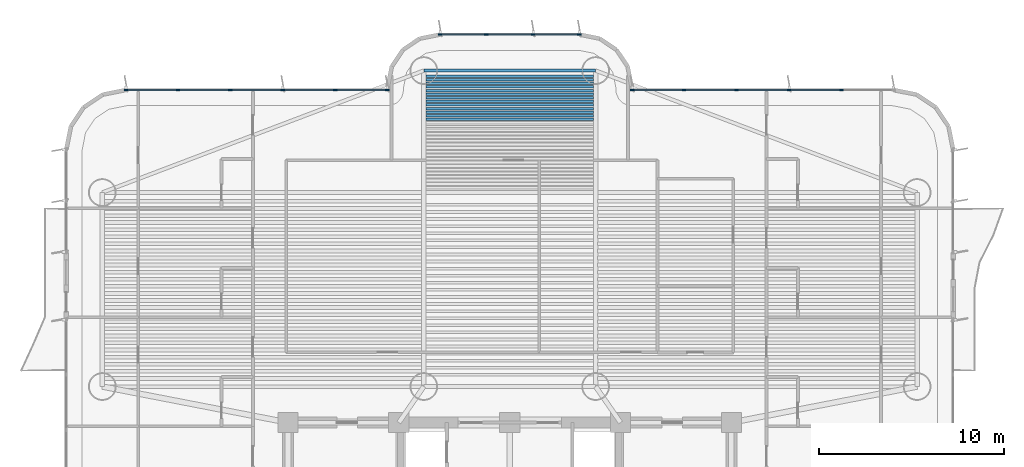
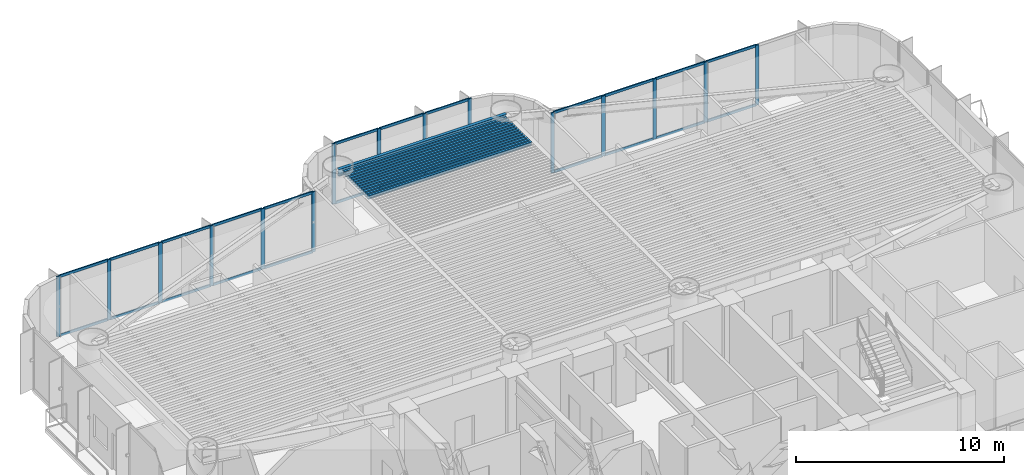
# One storey, part 7 of 18: 39 members, 14 beams, 3 elements without a shape of their own.
"""IFC4 building model written with IfcOpenShell, lengths in metres."""

from ifc_helpers import new_model, si_unit, direction, frame, origin, origin_2d, place, context, subcontext, project, spatial, rectangle, i_section, extrude, source, transform, mapped, material, layer, layer_set, material_profile, profile_set, type_object, element, aggregate, save


model = new_model("IFC4")

# Units and contexts
model_context = context("Model", 3, precision=1e-05, world=origin(), true_north=direction((0.0, 1.0)))
body_context = subcontext(model_context, "Body", "Model", "MODEL_VIEW")
ifc_project = project(units=[si_unit("LENGTHUNIT", "METRE"), si_unit("AREAUNIT", "SQUARE_METRE"), si_unit("VOLUMEUNIT", "CUBIC_METRE"), si_unit("PLANEANGLEUNIT", "RADIAN"), si_unit("MASSUNIT", "GRAM", prefix="KILO")], contexts=[model_context])

# Site, building, storey
site_placement = place(None, origin())
site = spatial("IfcSite", under=ifc_project, at=site_placement, CompositionType="ELEMENT")
building_placement = place(site_placement, origin())
building = spatial("IfcBuilding", under=site, at=building_placement, Name="Brelvock Crest Care Tower", CompositionType="ELEMENT")
storey_placement = place(building_placement, frame((0.0, 0.0, 42.1201171875)))
storey = spatial("IfcBuildingStorey", under=building, at=storey_placement, Name="L10", CompositionType="ELEMENT", Elevation=42.1201171875)

# Beams
ifc_material_1 = material(Name="Steel Grade 350", Category="steel")
ifc_material_profile_1 = material_profile(ifc_material_1, i_section(OverallWidth=0.177978515625, OverallDepth=0.406005859375, WebThickness=0.0078125, FlangeThickness=0.0126953125, FilletRadius=0.011474609375, at=origin_2d()), Name="410UB59.7")
ifc_profile_set_1 = profile_set([ifc_material_profile_1], Name="Steel Grade 350")
beam_type_1 = type_object("IfcBeamType", Name="BM-SP1", PredefinedType="SPANDREL", material=ifc_profile_set_1)
shared_shape_1 = source(origin(), body_context, "Body", "SweptSolid", [
    extrude(i_section(OverallWidth=0.177978515625, OverallDepth=0.406005859375, WebThickness=0.0078125, FlangeThickness=0.0126953125, FilletRadius=0.011474609375, at=origin_2d()), origin(), (0.0, 0.0, 1.0), 9.2998046875),
])
beam_placement = place(storey_placement, frame((31.35009765625, 37.050048828125, 3.326904296875), z_axis=(1.0, 0.0, 0.0), x_axis=(0.0, 1.0, 0.0)))
element("IfcBeam", 1, at=beam_placement, inside=storey, type_object=beam_type_1, Name="BM-TWR-L10-08", PredefinedType="SPANDREL", context=body_context, shape_type="MappedRepresentation", body=[
    mapped(shared_shape_1, transform((0.0, 0.0, 0.0), x_axis=(1.0, 0.0, 0.0), y_axis=(0.0, 1.0, 0.0), z_axis=(0.0, 0.0, 1.0), scale=1.0)),
])
ifc_material_profile_2 = material_profile(ifc_material_1, i_section(OverallWidth=0.134033203125, OverallDepth=0.20703125, WebThickness=0.00634765625, FlangeThickness=0.009521484375, FilletRadius=0.0087890625, at=origin_2d()), Name="200UB29.8")
ifc_profile_set_2 = profile_set([ifc_material_profile_2], Name="Steel Grade 350")
beam_type_2 = type_object("IfcBeamType", Name="BM-J4", PredefinedType="JOIST", material=ifc_profile_set_2)
shared_shape_2 = source(origin(), body_context, "Body", "SweptSolid", [
    extrude(i_section(OverallWidth=0.134033203125, OverallDepth=0.20703125, WebThickness=0.00634765625, FlangeThickness=0.009521484375, FilletRadius=0.0087890625, at=origin_2d()), origin(), (0.0, 0.0, 1.0), 9.06982421875),
])
for number, where, z_axis, x_axis, name in (
    (2, (31.465087890625, 34.413330078125, 3.42626953125), (1.0, 0.0, 0.0), (0.0, 1.0, 0.0), "BM-JN-L10-20"),
    (3, (31.465087890625, 34.60791015625, 3.42626953125), (1.0, 0.0, 0.0), (0.0, 1.0, 0.0), "BM-JN-L10-21"),
    (4, (31.465087890625, 34.802734375, 3.42626953125), (1.0, 0.0, 0.0), (0.0, 1.0, 0.0), "BM-JN-L10-22"),
    (5, (31.465087890625, 34.997314453125, 3.42626953125), (1.0, 0.0, 0.0), (0.0, 1.0, 0.0), "BM-JN-L10-23"),
    (6, (31.465087890625, 35.192138671875, 3.42626953125), (1.0, 0.0, 0.0), (0.0, 1.0, 0.0), "BM-JN-L10-24"),
    (7, (31.465087890625, 35.38671875, 3.42626953125), (1.0, 0.0, 0.0), (0.0, 1.0, 0.0), "BM-JN-L10-25"),
    (8, (31.465087890625, 35.58154296875, 3.42626953125), (1.0, 0.0, 0.0), (0.0, 1.0, 0.0), "BM-JN-L10-26"),
    (9, (31.465087890625, 35.776123046875, 3.42626953125), (1.0, 0.0, 0.0), (0.0, 1.0, 0.0), "BM-JN-L10-27"),
    (10, (31.465087890625, 35.970947265625, 3.42626953125), (1.0, 0.0, 0.0), (0.0, 1.0, 0.0), "BM-JN-L10-28"),
    (11, (31.465087890625, 36.16552734375, 3.42626953125), (1.0, 0.0, 0.0), (0.0, 1.0, 0.0), "BM-JN-L10-29"),
    (12, (31.465087890625, 36.3603515625, 3.42626953125), (1.0, 0.0, 0.0), (0.0, 1.0, 0.0), "BM-JN-L10-30"),
    (13, (31.465087890625, 36.554931640625, 3.42626953125), (1.0, 0.0, 0.0), (0.0, 1.0, 0.0), "BM-JN-L10-31"),
    (14, (31.465087890625, 36.749755859375, 3.42626953125), (1.0, 0.0, 0.0), (0.0, 1.0, 0.0), "BM-JN-L10-32"),
):
    element("IfcBeam", number, at=place(storey_placement, frame(where, z_axis=z_axis, x_axis=x_axis)), inside=storey, type_object=beam_type_2, Name=name, PredefinedType="JOIST", context=body_context, shape_type="MappedRepresentation", body=[
        mapped(shared_shape_2, transform((0.0, 0.0, 0.0), x_axis=(1.0, 0.0, 0.0), y_axis=(0.0, 1.0, 0.0), z_axis=(0.0, 0.0, 1.0), scale=1.0)),
    ])

# Curtain wall, members
ifc_material_2 = material(Name="Dark Glass Double Glazed Low-E", Category="glass")
ifc_layer = layer(ifc_material_2, 0.195068359375, Name="CWS-2")
ifc_layer_set = layer_set([ifc_layer], Name="Dark Glass Double Glazed Low-E")
curtain_wall_type = type_object("IfcCurtainWallType", Name="CWS-2", PredefinedType="NOTDEFINED", material=ifc_layer_set)
curtain_wall_1_placement = place(storey_placement, origin())
curtain_wall_1 = element("IfcCurtainWall", 15, at=curtain_wall_1_placement, inside=storey, type_object=curtain_wall_type, Name="L10 Curtain Wall E18", PredefinedType="NOTDEFINED")
ifc_material_3 = material(Name="Aluminium 6063-T6", Category="aluminium")
ifc_material_profile_3 = material_profile(ifc_material_3, rectangle(XDim=0.06494140625, YDim=0.14990234375, at=origin_2d()), Name="ALU65x150")
ifc_profile_set_3 = profile_set([ifc_material_profile_3], Name="Aluminium 6063-T6")
member_type_1 = type_object("IfcMemberType", Name="CWT-1", PredefinedType="USERDEFINED", material=ifc_profile_set_3)
shared_shape_3 = source(origin(), body_context, "Body", "SweptSolid", [
    extrude(rectangle(XDim=0.06494140625, YDim=0.14990234375, at=origin_2d()), origin(), (0.0, 0.0, 1.0), 2.74267578125),
])
member_1_placement = place(storey_placement, frame((15.264892578125, 36.0, 0.032470703125), z_axis=(1.0, 0.0, 0.0), x_axis=(0.0, 1.0, 0.0)))
member_1 = element("IfcMember", 16, at=member_1_placement, type_object=member_type_1, Name="CW-2 transom 1.1", ObjectType="TRANSOM", PredefinedType="USERDEFINED", context=body_context, shape_type="MappedRepresentation", body=[
    mapped(shared_shape_3, transform((0.0, 0.0, 0.0), x_axis=(1.0, 0.0, 0.0), y_axis=(0.0, 1.0, 0.0), z_axis=(0.0, 0.0, 1.0), scale=1.0)),
])
member_2_placement = place(storey_placement, frame((15.264892578125, 36.0, 3.497314453125), z_axis=(1.0, 0.0, 0.0), x_axis=(0.0, 1.0, 0.0)))
member_2 = element("IfcMember", 17, at=member_2_placement, type_object=member_type_1, Name="CW-2 transom 1.2", ObjectType="TRANSOM", PredefinedType="USERDEFINED", context=body_context, shape_type="MappedRepresentation", body=[
    mapped(shared_shape_3, transform((0.0, 0.0, 0.0), x_axis=(1.0, 0.0, 0.0), y_axis=(0.0, 1.0, 0.0), z_axis=(0.0, 0.0, 1.0), scale=1.0)),
])
shared_shape_4 = source(origin(), body_context, "Body", "SweptSolid", [
    extrude(rectangle(XDim=0.06494140625, YDim=0.14990234375, at=origin_2d()), origin(), (0.0, 0.0, 1.0), 2.77490234375),
])
member_3_placement = place(storey_placement, frame((18.072509765625, 36.0, 0.032470703125), z_axis=(1.0, 0.0, 0.0), x_axis=(0.0, 1.0, 0.0)))
member_3 = element("IfcMember", 18, at=member_3_placement, type_object=member_type_1, Name="CW-2 transom 2.1", ObjectType="TRANSOM", PredefinedType="USERDEFINED", context=body_context, shape_type="MappedRepresentation", body=[
    mapped(shared_shape_4, transform((0.0, 0.0, 0.0), x_axis=(1.0, 0.0, 0.0), y_axis=(0.0, 1.0, 0.0), z_axis=(0.0, 0.0, 1.0), scale=1.0)),
])
member_4_placement = place(storey_placement, frame((18.072509765625, 36.0, 3.497314453125), z_axis=(1.0, 0.0, 0.0), x_axis=(0.0, 1.0, 0.0)))
member_4 = element("IfcMember", 19, at=member_4_placement, type_object=member_type_1, Name="CW-2 transom 2.2", ObjectType="TRANSOM", PredefinedType="USERDEFINED", context=body_context, shape_type="MappedRepresentation", body=[
    mapped(shared_shape_4, transform((0.0, 0.0, 0.0), x_axis=(1.0, 0.0, 0.0), y_axis=(0.0, 1.0, 0.0), z_axis=(0.0, 0.0, 1.0), scale=1.0)),
])
member_5_placement = place(storey_placement, frame((20.91259765625, 36.0, 0.032470703125), z_axis=(1.0, 0.0, 0.0), x_axis=(0.0, 1.0, 0.0)))
member_5 = element("IfcMember", 20, at=member_5_placement, type_object=member_type_1, Name="CW-2 transom 3.1", ObjectType="TRANSOM", PredefinedType="USERDEFINED", context=body_context, shape_type="MappedRepresentation", body=[
    mapped(shared_shape_4, transform((0.0, 0.0, 0.0), x_axis=(1.0, 0.0, 0.0), y_axis=(0.0, 1.0, 0.0), z_axis=(0.0, 0.0, 1.0), scale=1.0)),
])
member_6_placement = place(storey_placement, frame((20.91259765625, 36.0, 3.497314453125), z_axis=(1.0, 0.0, 0.0), x_axis=(0.0, 1.0, 0.0)))
member_6 = element("IfcMember", 21, at=member_6_placement, type_object=member_type_1, Name="CW-2 transom 3.2", ObjectType="TRANSOM", PredefinedType="USERDEFINED", context=body_context, shape_type="MappedRepresentation", body=[
    mapped(shared_shape_4, transform((0.0, 0.0, 0.0), x_axis=(1.0, 0.0, 0.0), y_axis=(0.0, 1.0, 0.0), z_axis=(0.0, 0.0, 1.0), scale=1.0)),
])

curtain_wall_2_placement = place(storey_placement, origin())
curtain_wall_2 = element("IfcCurtainWall", 22, at=curtain_wall_2_placement, inside=storey, type_object=curtain_wall_type, Name="L10 Curtain Wall E30", PredefinedType="NOTDEFINED")
member_7_placement = place(storey_placement, frame((48.3125, 36.0, 0.032470703125), z_axis=(1.0, 0.0, 0.0), x_axis=(0.0, 1.0, 0.0)))
member_7 = element("IfcMember", 23, at=member_7_placement, type_object=member_type_1, Name="CW-2 transom 3.1", ObjectType="TRANSOM", PredefinedType="USERDEFINED", context=body_context, shape_type="MappedRepresentation", body=[
    mapped(shared_shape_4, transform((0.0, 0.0, 0.0), x_axis=(1.0, 0.0, 0.0), y_axis=(0.0, 1.0, 0.0), z_axis=(0.0, 0.0, 1.0), scale=1.0)),
])
member_8_placement = place(storey_placement, frame((48.3125, 36.0, 3.497314453125), z_axis=(1.0, 0.0, 0.0), x_axis=(0.0, 1.0, 0.0)))
member_8 = element("IfcMember", 24, at=member_8_placement, type_object=member_type_1, Name="CW-2 transom 3.2", ObjectType="TRANSOM", PredefinedType="USERDEFINED", context=body_context, shape_type="MappedRepresentation", body=[
    mapped(shared_shape_4, transform((0.0, 0.0, 0.0), x_axis=(1.0, 0.0, 0.0), y_axis=(0.0, 1.0, 0.0), z_axis=(0.0, 0.0, 1.0), scale=1.0)),
])
member_9_placement = place(storey_placement, frame((51.152587890625, 36.0, 0.032470703125), z_axis=(1.0, 0.0, 0.0), x_axis=(0.0, 1.0, 0.0)))
member_9 = element("IfcMember", 25, at=member_9_placement, type_object=member_type_1, Name="CW-2 transom 4.1", ObjectType="TRANSOM", PredefinedType="USERDEFINED", context=body_context, shape_type="MappedRepresentation", body=[
    mapped(shared_shape_4, transform((0.0, 0.0, 0.0), x_axis=(1.0, 0.0, 0.0), y_axis=(0.0, 1.0, 0.0), z_axis=(0.0, 0.0, 1.0), scale=1.0)),
])
member_10_placement = place(storey_placement, frame((51.152587890625, 36.0, 3.497314453125), z_axis=(1.0, 0.0, 0.0), x_axis=(0.0, 1.0, 0.0)))
member_10 = element("IfcMember", 26, at=member_10_placement, type_object=member_type_1, Name="CW-2 transom 4.2", ObjectType="TRANSOM", PredefinedType="USERDEFINED", context=body_context, shape_type="MappedRepresentation", body=[
    mapped(shared_shape_4, transform((0.0, 0.0, 0.0), x_axis=(1.0, 0.0, 0.0), y_axis=(0.0, 1.0, 0.0), z_axis=(0.0, 0.0, 1.0), scale=1.0)),
])

# Member
shared_shape_5 = source(origin(), body_context, "Body", "SweptSolid", [
    extrude(rectangle(XDim=0.06494140625, YDim=0.14990234375, at=origin_2d()), origin(), (0.0, 0.0, 1.0), 2.775146484375),
])
member_11_placement = place(storey_placement, frame((23.75244140625, 36.0, 0.032470703125), z_axis=(1.0, 0.0, 0.0), x_axis=(0.0, 1.0, 0.0)))
member_11 = element("IfcMember", 27, at=member_11_placement, type_object=member_type_1, Name="CW-2 transom 4.1", ObjectType="TRANSOM", PredefinedType="USERDEFINED", context=body_context, shape_type="MappedRepresentation", body=[
    mapped(shared_shape_5, transform((0.0, 0.0, 0.0), x_axis=(1.0, 0.0, 0.0), y_axis=(0.0, 1.0, 0.0), z_axis=(0.0, 0.0, 1.0), scale=1.0)),
])

member_12_placement = place(storey_placement, frame((23.75244140625, 36.0, 3.497314453125), z_axis=(1.0, 0.0, 0.0), x_axis=(0.0, 1.0, 0.0)))
member_12 = element("IfcMember", 28, at=member_12_placement, type_object=member_type_1, Name="CW-2 transom 4.2", ObjectType="TRANSOM", PredefinedType="USERDEFINED", context=body_context, shape_type="MappedRepresentation", body=[
    mapped(shared_shape_5, transform((0.0, 0.0, 0.0), x_axis=(1.0, 0.0, 0.0), y_axis=(0.0, 1.0, 0.0), z_axis=(0.0, 0.0, 1.0), scale=1.0)),
])

member_13_placement = place(storey_placement, frame((45.472412109375, 36.0, 0.032470703125), z_axis=(1.0, 0.0, 0.0), x_axis=(0.0, 1.0, 0.0)))
member_13 = element("IfcMember", 29, at=member_13_placement, type_object=member_type_1, Name="CW-2 transom 2.1", ObjectType="TRANSOM", PredefinedType="USERDEFINED", context=body_context, shape_type="MappedRepresentation", body=[
    mapped(shared_shape_5, transform((0.0, 0.0, 0.0), x_axis=(1.0, 0.0, 0.0), y_axis=(0.0, 1.0, 0.0), z_axis=(0.0, 0.0, 1.0), scale=1.0)),
])

member_14_placement = place(storey_placement, frame((45.472412109375, 36.0, 3.497314453125), z_axis=(1.0, 0.0, 0.0), x_axis=(0.0, 1.0, 0.0)))
member_14 = element("IfcMember", 30, at=member_14_placement, type_object=member_type_1, Name="CW-2 transom 2.2", ObjectType="TRANSOM", PredefinedType="USERDEFINED", context=body_context, shape_type="MappedRepresentation", body=[
    mapped(shared_shape_5, transform((0.0, 0.0, 0.0), x_axis=(1.0, 0.0, 0.0), y_axis=(0.0, 1.0, 0.0), z_axis=(0.0, 0.0, 1.0), scale=1.0)),
])

shared_shape_6 = source(origin(), body_context, "Body", "SweptSolid", [
    extrude(rectangle(XDim=0.06494140625, YDim=0.14990234375, at=origin_2d()), origin(), (0.0, 0.0, 1.0), 2.742431640625),
])
member_15_placement = place(storey_placement, frame((26.592529296875, 36.0, 0.032470703125), z_axis=(1.0, 0.0, 0.0), x_axis=(0.0, 1.0, 0.0)))
member_15 = element("IfcMember", 31, at=member_15_placement, type_object=member_type_1, Name="CW-2 transom 5.1", ObjectType="TRANSOM", PredefinedType="USERDEFINED", context=body_context, shape_type="MappedRepresentation", body=[
    mapped(shared_shape_6, transform((0.0, 0.0, 0.0), x_axis=(1.0, 0.0, 0.0), y_axis=(0.0, 1.0, 0.0), z_axis=(0.0, 0.0, 1.0), scale=1.0)),
])

member_16_placement = place(storey_placement, frame((26.592529296875, 36.0, 3.497314453125), z_axis=(1.0, 0.0, 0.0), x_axis=(0.0, 1.0, 0.0)))
member_16 = element("IfcMember", 32, at=member_16_placement, type_object=member_type_1, Name="CW-2 transom 5.2", ObjectType="TRANSOM", PredefinedType="USERDEFINED", context=body_context, shape_type="MappedRepresentation", body=[
    mapped(shared_shape_6, transform((0.0, 0.0, 0.0), x_axis=(1.0, 0.0, 0.0), y_axis=(0.0, 1.0, 0.0), z_axis=(0.0, 0.0, 1.0), scale=1.0)),
])

member_17_placement = place(storey_placement, frame((42.6650390625, 36.0, 0.032470703125), z_axis=(1.0, 0.0, 0.0), x_axis=(0.0, 1.0, 0.0)))
member_17 = element("IfcMember", 33, at=member_17_placement, type_object=member_type_1, Name="CW-2 transom 1.1", ObjectType="TRANSOM", PredefinedType="USERDEFINED", context=body_context, shape_type="MappedRepresentation", body=[
    mapped(shared_shape_6, transform((0.0, 0.0, 0.0), x_axis=(1.0, 0.0, 0.0), y_axis=(0.0, 1.0, 0.0), z_axis=(0.0, 0.0, 1.0), scale=1.0)),
])

member_18_placement = place(storey_placement, frame((42.6650390625, 36.0, 3.497314453125), z_axis=(1.0, 0.0, 0.0), x_axis=(0.0, 1.0, 0.0)))
member_18 = element("IfcMember", 34, at=member_18_placement, type_object=member_type_1, Name="CW-2 transom 1.2", ObjectType="TRANSOM", PredefinedType="USERDEFINED", context=body_context, shape_type="MappedRepresentation", body=[
    mapped(shared_shape_6, transform((0.0, 0.0, 0.0), x_axis=(1.0, 0.0, 0.0), y_axis=(0.0, 1.0, 0.0), z_axis=(0.0, 0.0, 1.0), scale=1.0)),
])

# Curtain wall, members
curtain_wall_3_placement = place(storey_placement, origin())
curtain_wall_3 = element("IfcCurtainWall", 35, at=curtain_wall_3_placement, inside=storey, type_object=curtain_wall_type, Name="L10 Curtain Wall E24", PredefinedType="NOTDEFINED")
shared_shape_7 = source(origin(), body_context, "Body", "SweptSolid", [
    extrude(rectangle(XDim=0.06494140625, YDim=0.14990234375, at=origin_2d()), origin(), (0.0, 0.0, 1.0), 2.43603515625),
])
member_19_placement = place(storey_placement, frame((32.264892578125, 39.0, 0.032470703125), z_axis=(1.0, 0.0, 0.0), x_axis=(0.0, 1.0, 0.0)))
member_19 = element("IfcMember", 36, at=member_19_placement, type_object=member_type_1, Name="CW-2 transom 1.1", ObjectType="TRANSOM", PredefinedType="USERDEFINED", context=body_context, shape_type="MappedRepresentation", body=[
    mapped(shared_shape_7, transform((0.0, 0.0, 0.0), x_axis=(1.0, 0.0, 0.0), y_axis=(0.0, 1.0, 0.0), z_axis=(0.0, 0.0, 1.0), scale=1.0)),
])
member_20_placement = place(storey_placement, frame((32.264892578125, 39.0, 3.497314453125), z_axis=(1.0, 0.0, 0.0), x_axis=(0.0, 1.0, 0.0)))
member_20 = element("IfcMember", 37, at=member_20_placement, type_object=member_type_1, Name="CW-2 transom 1.2", ObjectType="TRANSOM", PredefinedType="USERDEFINED", context=body_context, shape_type="MappedRepresentation", body=[
    mapped(shared_shape_7, transform((0.0, 0.0, 0.0), x_axis=(1.0, 0.0, 0.0), y_axis=(0.0, 1.0, 0.0), z_axis=(0.0, 0.0, 1.0), scale=1.0)),
])
member_21_placement = place(storey_placement, frame((37.299072265625, 39.0, 0.032470703125), z_axis=(1.0, 0.0, 0.0), x_axis=(0.0, 1.0, 0.0)))
member_21 = element("IfcMember", 38, at=member_21_placement, type_object=member_type_1, Name="CW-2 transom 3.1", ObjectType="TRANSOM", PredefinedType="USERDEFINED", context=body_context, shape_type="MappedRepresentation", body=[
    mapped(shared_shape_7, transform((0.0, 0.0, 0.0), x_axis=(1.0, 0.0, 0.0), y_axis=(0.0, 1.0, 0.0), z_axis=(0.0, 0.0, 1.0), scale=1.0)),
])
member_22_placement = place(storey_placement, frame((37.299072265625, 39.0, 3.497314453125), z_axis=(1.0, 0.0, 0.0), x_axis=(0.0, 1.0, 0.0)))
member_22 = element("IfcMember", 39, at=member_22_placement, type_object=member_type_1, Name="CW-2 transom 3.2", ObjectType="TRANSOM", PredefinedType="USERDEFINED", context=body_context, shape_type="MappedRepresentation", body=[
    mapped(shared_shape_7, transform((0.0, 0.0, 0.0), x_axis=(1.0, 0.0, 0.0), y_axis=(0.0, 1.0, 0.0), z_axis=(0.0, 0.0, 1.0), scale=1.0)),
])
shared_shape_8 = source(origin(), body_context, "Body", "SweptSolid", [
    extrude(rectangle(XDim=0.06494140625, YDim=0.14990234375, at=origin_2d()), origin(), (0.0, 0.0, 1.0), 2.46826171875),
])
member_23_placement = place(storey_placement, frame((34.765869140625, 39.0, 0.032470703125), z_axis=(1.0, 0.0, 0.0), x_axis=(0.0, 1.0, 0.0)))
member_23 = element("IfcMember", 40, at=member_23_placement, type_object=member_type_1, Name="CW-2 transom 2.1", ObjectType="TRANSOM", PredefinedType="USERDEFINED", context=body_context, shape_type="MappedRepresentation", body=[
    mapped(shared_shape_8, transform((0.0, 0.0, 0.0), x_axis=(1.0, 0.0, 0.0), y_axis=(0.0, 1.0, 0.0), z_axis=(0.0, 0.0, 1.0), scale=1.0)),
])
member_24_placement = place(storey_placement, frame((34.765869140625, 39.0, 3.497314453125), z_axis=(1.0, 0.0, 0.0), x_axis=(0.0, 1.0, 0.0)))
member_24 = element("IfcMember", 41, at=member_24_placement, type_object=member_type_1, Name="CW-2 transom 2.2", ObjectType="TRANSOM", PredefinedType="USERDEFINED", context=body_context, shape_type="MappedRepresentation", body=[
    mapped(shared_shape_8, transform((0.0, 0.0, 0.0), x_axis=(1.0, 0.0, 0.0), y_axis=(0.0, 1.0, 0.0), z_axis=(0.0, 0.0, 1.0), scale=1.0)),
])

# Member
ifc_material_profile_4 = material_profile(ifc_material_3, rectangle(XDim=0.06494140625, YDim=0.199951171875, at=origin_2d()), Name="ALU65x200")
ifc_profile_set_4 = profile_set([ifc_material_profile_4], Name="Aluminium 6063-T6")
member_type_2 = type_object("IfcMemberType", Name="CWM-1", PredefinedType="MULLION", material=ifc_profile_set_4)
shared_shape_9 = source(origin(), body_context, "Body", "SweptSolid", [
    extrude(rectangle(XDim=0.06494140625, YDim=0.199951171875, at=origin_2d()), origin(), (0.0, 0.0, 1.0), 3.52978515625),
])
member_25_placement = place(storey_placement, frame((15.232421875, 36.0, 0.0), z_axis=(0.0, 0.0, 1.0), x_axis=(0.0, 1.0, 0.0)))
member_25 = element("IfcMember", 42, at=member_25_placement, type_object=member_type_2, Name="CW-2 mullion 1", PredefinedType="MULLION", context=body_context, shape_type="MappedRepresentation", body=[
    mapped(shared_shape_9, transform((0.0, 0.0, 0.0), x_axis=(1.0, 0.0, 0.0), y_axis=(0.0, 1.0, 0.0), z_axis=(0.0, 0.0, 1.0), scale=1.0)),
])

member_26_placement = place(storey_placement, frame((18.0400390625, 36.0, 0.0), z_axis=(0.0, 0.0, 1.0), x_axis=(0.0, 1.0, 0.0)))
member_26 = element("IfcMember", 43, at=member_26_placement, type_object=member_type_2, Name="CW-2 mullion 2", PredefinedType="MULLION", context=body_context, shape_type="MappedRepresentation", body=[
    mapped(shared_shape_9, transform((0.0, 0.0, 0.0), x_axis=(1.0, 0.0, 0.0), y_axis=(0.0, 1.0, 0.0), z_axis=(0.0, 0.0, 1.0), scale=1.0)),
])

member_27_placement = place(storey_placement, frame((20.8798828125, 36.0, 0.0), z_axis=(0.0, 0.0, 1.0), x_axis=(0.0, 1.0, 0.0)))
member_27 = element("IfcMember", 44, at=member_27_placement, type_object=member_type_2, Name="CW-2 mullion 3", PredefinedType="MULLION", context=body_context, shape_type="MappedRepresentation", body=[
    mapped(shared_shape_9, transform((0.0, 0.0, 0.0), x_axis=(1.0, 0.0, 0.0), y_axis=(0.0, 1.0, 0.0), z_axis=(0.0, 0.0, 1.0), scale=1.0)),
])

member_28_placement = place(storey_placement, frame((23.719970703125, 36.0, 0.0), z_axis=(0.0, 0.0, 1.0), x_axis=(0.0, 1.0, 0.0)))
member_28 = element("IfcMember", 45, at=member_28_placement, type_object=member_type_2, Name="CW-2 mullion 4", PredefinedType="MULLION", context=body_context, shape_type="MappedRepresentation", body=[
    mapped(shared_shape_9, transform((0.0, 0.0, 0.0), x_axis=(1.0, 0.0, 0.0), y_axis=(0.0, 1.0, 0.0), z_axis=(0.0, 0.0, 1.0), scale=1.0)),
])

member_29_placement = place(storey_placement, frame((26.56005859375, 36.0, 0.0), z_axis=(0.0, 0.0, 1.0), x_axis=(0.0, 1.0, 0.0)))
member_29 = element("IfcMember", 46, at=member_29_placement, type_object=member_type_2, Name="CW-2 mullion 5", PredefinedType="MULLION", context=body_context, shape_type="MappedRepresentation", body=[
    mapped(shared_shape_9, transform((0.0, 0.0, 0.0), x_axis=(1.0, 0.0, 0.0), y_axis=(0.0, 1.0, 0.0), z_axis=(0.0, 0.0, 1.0), scale=1.0)),
])

member_30_placement = place(storey_placement, frame((29.367431640625, 36.0, 0.0), z_axis=(0.0, 0.0, 1.0), x_axis=(0.0, 1.0, 0.0)))
member_30 = element("IfcMember", 47, at=member_30_placement, type_object=member_type_2, Name="CW-2 mullion 6", PredefinedType="MULLION", context=body_context, shape_type="MappedRepresentation", body=[
    mapped(shared_shape_9, transform((0.0, 0.0, 0.0), x_axis=(1.0, 0.0, 0.0), y_axis=(0.0, 1.0, 0.0), z_axis=(0.0, 0.0, 1.0), scale=1.0)),
])

aggregate(curtain_wall_1, [member_25, member_26, member_27, member_28, member_29, member_30, member_1, member_2, member_3, member_4, member_5, member_6, member_11, member_12, member_15, member_16])

member_31_placement = place(storey_placement, frame((32.232421875, 39.0, 0.0), z_axis=(0.0, 0.0, 1.0), x_axis=(0.0, 1.0, 0.0)))
member_31 = element("IfcMember", 48, at=member_31_placement, type_object=member_type_2, Name="CW-2 mullion 1", PredefinedType="MULLION", context=body_context, shape_type="MappedRepresentation", body=[
    mapped(shared_shape_9, transform((0.0, 0.0, 0.0), x_axis=(1.0, 0.0, 0.0), y_axis=(0.0, 1.0, 0.0), z_axis=(0.0, 0.0, 1.0), scale=1.0)),
])

member_32_placement = place(storey_placement, frame((34.7333984375, 39.0, 0.0), z_axis=(0.0, 0.0, 1.0), x_axis=(0.0, 1.0, 0.0)))
member_32 = element("IfcMember", 49, at=member_32_placement, type_object=member_type_2, Name="CW-2 mullion 2", PredefinedType="MULLION", context=body_context, shape_type="MappedRepresentation", body=[
    mapped(shared_shape_9, transform((0.0, 0.0, 0.0), x_axis=(1.0, 0.0, 0.0), y_axis=(0.0, 1.0, 0.0), z_axis=(0.0, 0.0, 1.0), scale=1.0)),
])

member_33_placement = place(storey_placement, frame((37.2666015625, 39.0, 0.0), z_axis=(0.0, 0.0, 1.0), x_axis=(0.0, 1.0, 0.0)))
member_33 = element("IfcMember", 50, at=member_33_placement, type_object=member_type_2, Name="CW-2 mullion 3", PredefinedType="MULLION", context=body_context, shape_type="MappedRepresentation", body=[
    mapped(shared_shape_9, transform((0.0, 0.0, 0.0), x_axis=(1.0, 0.0, 0.0), y_axis=(0.0, 1.0, 0.0), z_axis=(0.0, 0.0, 1.0), scale=1.0)),
])

member_34_placement = place(storey_placement, frame((39.767578125, 39.0, 0.0), z_axis=(0.0, 0.0, 1.0), x_axis=(0.0, 1.0, 0.0)))
member_34 = element("IfcMember", 51, at=member_34_placement, type_object=member_type_2, Name="CW-2 mullion 4", PredefinedType="MULLION", context=body_context, shape_type="MappedRepresentation", body=[
    mapped(shared_shape_9, transform((0.0, 0.0, 0.0), x_axis=(1.0, 0.0, 0.0), y_axis=(0.0, 1.0, 0.0), z_axis=(0.0, 0.0, 1.0), scale=1.0)),
])

aggregate(curtain_wall_3, [member_31, member_32, member_33, member_34, member_19, member_20, member_23, member_24, member_21, member_22])

member_35_placement = place(storey_placement, frame((42.632568359375, 36.0, 0.0), z_axis=(0.0, 0.0, 1.0), x_axis=(0.0, 1.0, 0.0)))
member_35 = element("IfcMember", 52, at=member_35_placement, type_object=member_type_2, Name="CW-2 mullion 1", PredefinedType="MULLION", context=body_context, shape_type="MappedRepresentation", body=[
    mapped(shared_shape_9, transform((0.0, 0.0, 0.0), x_axis=(1.0, 0.0, 0.0), y_axis=(0.0, 1.0, 0.0), z_axis=(0.0, 0.0, 1.0), scale=1.0)),
])

member_36_placement = place(storey_placement, frame((45.43994140625, 36.0, 0.0), z_axis=(0.0, 0.0, 1.0), x_axis=(0.0, 1.0, 0.0)))
member_36 = element("IfcMember", 53, at=member_36_placement, type_object=member_type_2, Name="CW-2 mullion 2", PredefinedType="MULLION", context=body_context, shape_type="MappedRepresentation", body=[
    mapped(shared_shape_9, transform((0.0, 0.0, 0.0), x_axis=(1.0, 0.0, 0.0), y_axis=(0.0, 1.0, 0.0), z_axis=(0.0, 0.0, 1.0), scale=1.0)),
])

member_37_placement = place(storey_placement, frame((48.280029296875, 36.0, 0.0), z_axis=(0.0, 0.0, 1.0), x_axis=(0.0, 1.0, 0.0)))
member_37 = element("IfcMember", 54, at=member_37_placement, type_object=member_type_2, Name="CW-2 mullion 3", PredefinedType="MULLION", context=body_context, shape_type="MappedRepresentation", body=[
    mapped(shared_shape_9, transform((0.0, 0.0, 0.0), x_axis=(1.0, 0.0, 0.0), y_axis=(0.0, 1.0, 0.0), z_axis=(0.0, 0.0, 1.0), scale=1.0)),
])

member_38_placement = place(storey_placement, frame((51.1201171875, 36.0, 0.0), z_axis=(0.0, 0.0, 1.0), x_axis=(0.0, 1.0, 0.0)))
member_38 = element("IfcMember", 55, at=member_38_placement, type_object=member_type_2, Name="CW-2 mullion 4", PredefinedType="MULLION", context=body_context, shape_type="MappedRepresentation", body=[
    mapped(shared_shape_9, transform((0.0, 0.0, 0.0), x_axis=(1.0, 0.0, 0.0), y_axis=(0.0, 1.0, 0.0), z_axis=(0.0, 0.0, 1.0), scale=1.0)),
])

member_39_placement = place(storey_placement, frame((53.9599609375, 36.0, 0.0), z_axis=(0.0, 0.0, 1.0), x_axis=(0.0, 1.0, 0.0)))
member_39 = element("IfcMember", 56, at=member_39_placement, type_object=member_type_2, Name="CW-2 mullion 5", PredefinedType="MULLION", context=body_context, shape_type="MappedRepresentation", body=[
    mapped(shared_shape_9, transform((0.0, 0.0, 0.0), x_axis=(1.0, 0.0, 0.0), y_axis=(0.0, 1.0, 0.0), z_axis=(0.0, 0.0, 1.0), scale=1.0)),
])

aggregate(curtain_wall_2, [member_35, member_36, member_37, member_38, member_39, member_17, member_18, member_13, member_14, member_7, member_8, member_9, member_10])

save(model, "model.ifc")
